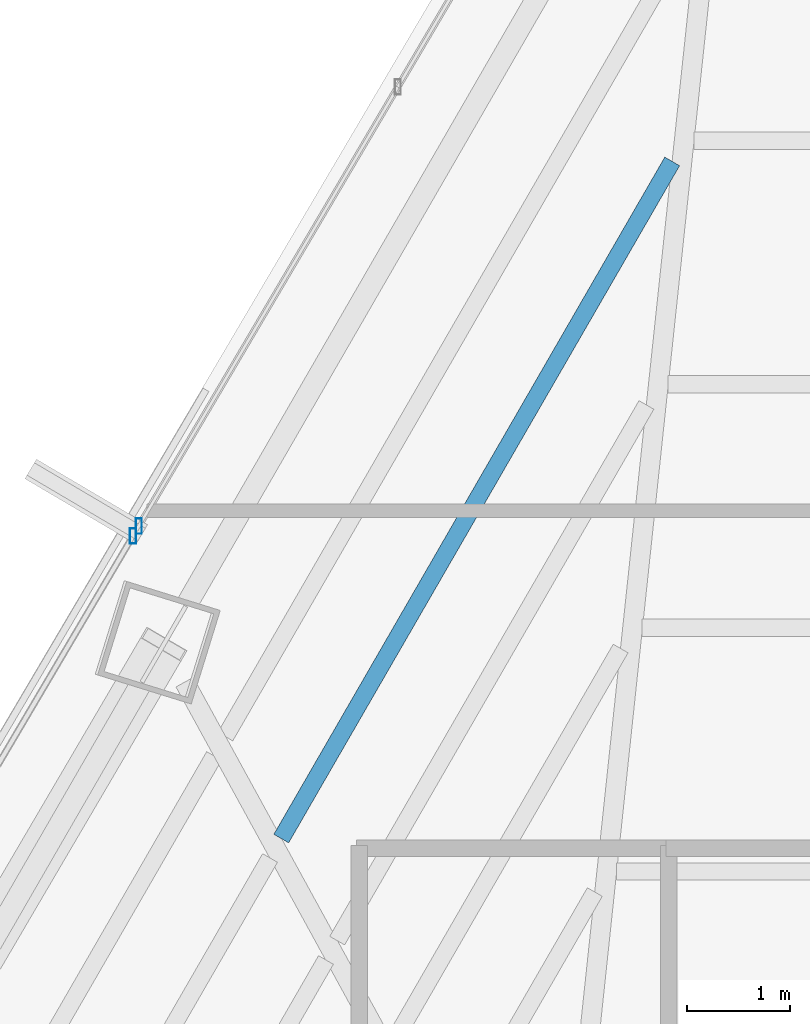
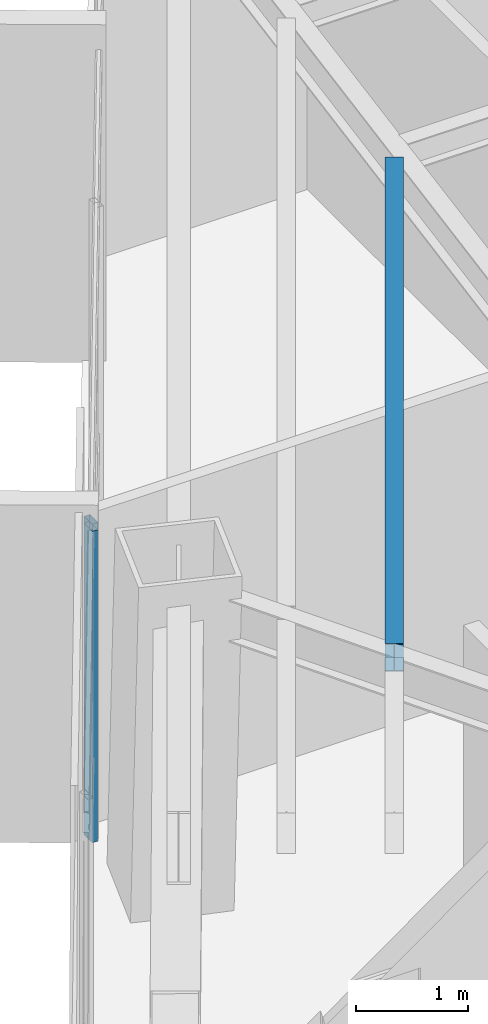
# One storey, part 26 of 41: 2 members, 1 beam, 2 elements without a shape of their own.
"""IFC4 building model written with IfcOpenShell, lengths in metres."""

from ifc_helpers import new_model, si_unit, direction, frame, origin, origin_2d, place, context, subcontext, project, spatial, hollow_rectangle, i_section, extrude, source, transform, mapped, material, material_profile, profile_set, type_object, type_shapes, element, aggregate, save


model = new_model("IFC4")

# Units and contexts
model_context = context("Model", 3, precision=1e-05, world=origin(), true_north=direction((0.0, 1.0)))
body_context = subcontext(model_context, "Body", "Model", "MODEL_VIEW")
ifc_project = project(units=[si_unit("LENGTHUNIT", "METRE"), si_unit("AREAUNIT", "SQUARE_METRE"), si_unit("VOLUMEUNIT", "CUBIC_METRE"), si_unit("PLANEANGLEUNIT", "RADIAN"), si_unit("MASSUNIT", "GRAM", prefix="KILO")], contexts=[model_context])

# Site, building, storey
site_placement = place(None, origin())
site = spatial("IfcSite", under=ifc_project, at=site_placement, CompositionType="ELEMENT")
building_placement = place(site_placement, origin())
building = spatial("IfcBuilding", under=site, at=building_placement, Name="Caelisora Broadcast Tower", CompositionType="ELEMENT")
storey_placement = place(building_placement, frame((0.0, 0.0, 173.10009765625)))
storey = spatial("IfcBuildingStorey", under=building, at=storey_placement, Name="L45", CompositionType="ELEMENT", Elevation=173.10009765625)

# Beam
ifc_material_1 = material(Name="Steel Grade 350 (AS/NZS 3679.1)", Category="steel")
ifc_material_profile_1 = material_profile(ifc_material_1, i_section(OverallWidth=0.166015625, OverallDepth=0.30712890625, WebThickness=0.006591796875, FlangeThickness=0.01171875, at=origin_2d()), Name="Steel Grade 350 (AS/NZS 3679.1)")
ifc_profile_set_1 = profile_set([ifc_material_profile_1], Name="Steel Grade 350 (AS/NZS 3679.1)")
beam_type = type_object("IfcBeamType", Name="SB03", PredefinedType="JOIST", material=ifc_profile_set_1)
shared_shape_1 = source(origin(), body_context, "Body", "SweptSolid", [
    extrude(i_section(OverallWidth=0.166015625, OverallDepth=0.30712890625, WebThickness=0.006591796875, FlangeThickness=0.01171875, at=origin_2d()), origin(), (0.0, 0.0, 1.0), 7.58349609375),
])
type_shapes(beam_type, [shared_shape_1])
beam_placement = place(storey_placement, frame((31.634765625, 41.609375, 3.246337890625), z_axis=(-0.499992766374, -0.86602958008, 0.0), x_axis=(0.86602958008, -0.499992766374, 0.0)))
element("IfcBeam", 1, at=beam_placement, inside=storey, type_object=beam_type, Name="L45 beam SB03", PredefinedType="JOIST", context=body_context, shape_type="MappedRepresentation", body=[
    mapped(shared_shape_1, transform((0.0, 0.0, 0.0), scale=1.0)),
])

# Curtain wall, member
ifc_material_2 = material(Name="Unitised Aluminium Insulated Shadow-Box Spandrel Curtain Wall", Category="aluminium")
curtain_wall_type_1 = type_object("IfcCurtainWallType", Name="CW-SP2", PredefinedType="NOTDEFINED", material=ifc_material_2)
curtain_wall_1_placement = place(storey_placement, origin())
curtain_wall_1 = element("IfcCurtainWall", 2, at=curtain_wall_1_placement, inside=storey, type_object=curtain_wall_type_1, Name="L45 curtain wall CW-SP2", PredefinedType="NOTDEFINED")
ifc_material_3 = material(Name="Aluminium 6063-T6 Anodised Terracotta Bronze", Category="aluminium")
ifc_material_profile_2 = material_profile(ifc_material_3, hollow_rectangle(XDim=0.06005859375, YDim=0.14990234375, WallThickness=0.00341796875, at=origin_2d()), Name="Aluminium 6063-T6 Anodised Terracotta Bronze")
ifc_profile_set_2 = profile_set([ifc_material_profile_2], Name="Aluminium 6063-T6 Anodised Terracotta Bronze")
member_type = type_object("IfcMemberType", Name="CWM-03", PredefinedType="MULLION", material=ifc_profile_set_2)
shared_shape_2 = source(origin(), body_context, "Body", "SweptSolid", [
    extrude(hollow_rectangle(XDim=0.06005859375, YDim=0.14990234375, WallThickness=0.00341796875, at=origin_2d()), origin(), (0.0, 0.0, 1.0), 3.39990234375),
])
type_shapes(member_type, [shared_shape_2])
member_1_placement = place(storey_placement, frame((26.405517578125, 37.97705078125, 0.0), z_axis=(0.0, 0.0, 1.0), x_axis=(1.0, 0.0, 0.0)))
member_1 = element("IfcMember", 3, at=member_1_placement, type_object=member_type, Name="L45-CW-B10 mullion #3", PredefinedType="MULLION", context=body_context, shape_type="MappedRepresentation", body=[
    mapped(shared_shape_2, transform((0.0, 0.0, 0.0), scale=1.0)),
])
aggregate(curtain_wall_1, [member_1])

ifc_material_4 = material(Name="Unitised Aluminium and Low-E Glass Curtain Wall", Category="glass")
curtain_wall_type_2 = type_object("IfcCurtainWallType", Name="CW-Z3", PredefinedType="NOTDEFINED", material=ifc_material_4)
curtain_wall_2_placement = place(storey_placement, origin())
curtain_wall_2 = element("IfcCurtainWall", 4, at=curtain_wall_2_placement, inside=storey, type_object=curtain_wall_type_2, Name="L45 curtain wall CW-Z3", PredefinedType="NOTDEFINED")
member_2_placement = place(storey_placement, frame((26.46142578125, 38.072021484375, 0.0), z_axis=(0.0, 0.0, 1.0), x_axis=(1.0, 0.0, 0.0)))
member_2 = element("IfcMember", 5, at=member_2_placement, type_object=member_type, Name="L45-CW-B11 mullion #0", PredefinedType="MULLION", context=body_context, shape_type="MappedRepresentation", body=[
    mapped(shared_shape_2, transform((0.0, 0.0, 0.0), scale=1.0)),
])
aggregate(curtain_wall_2, [member_2])

save(model, "model.ifc")
